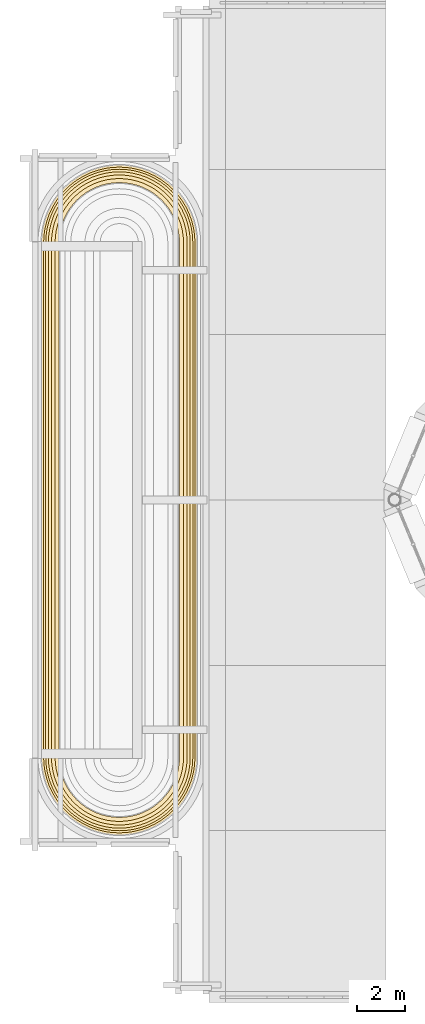
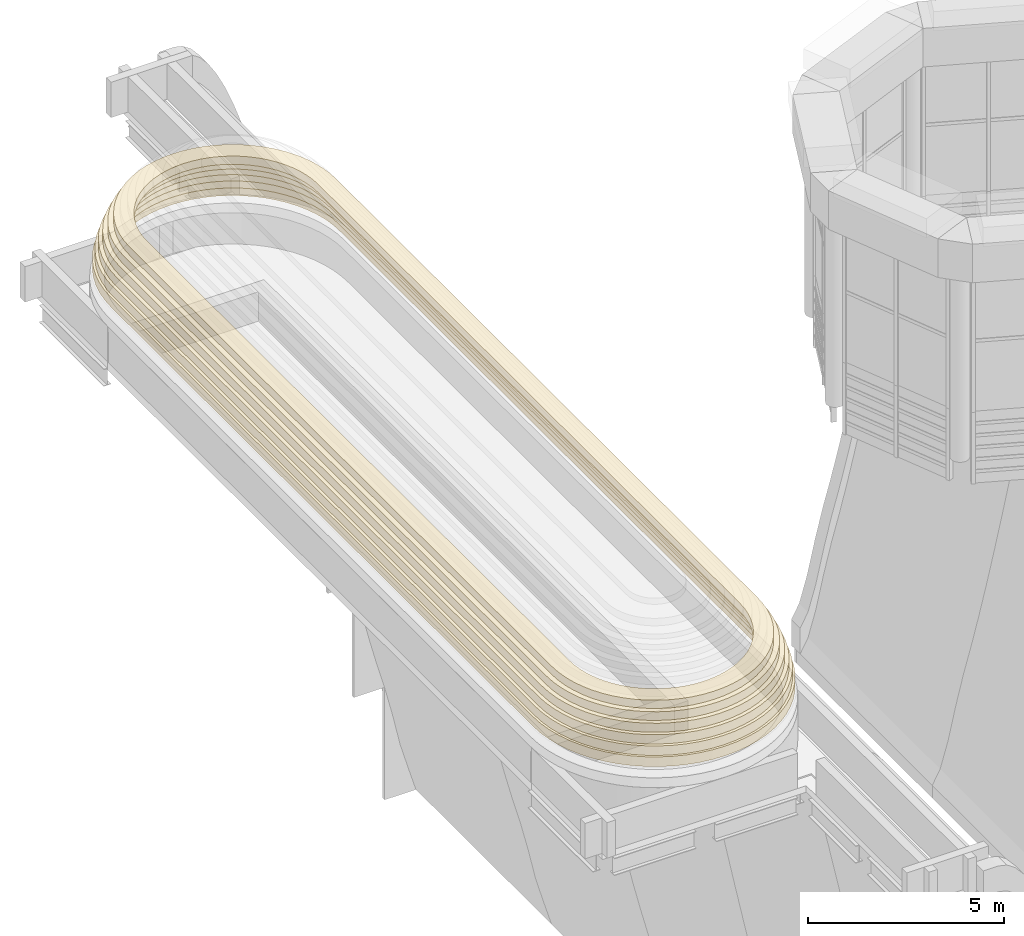
# One storey, part 9 of 14: 6 coverings.
"""IFC4 building model written with IfcOpenShell, lengths in metres."""

from ifc_helpers import new_model, si_unit, direction, frame, origin, place, context, subcontext, project, spatial, polyline, outline, extrude, material, layer, layer_set, type_object, element, save


model = new_model("IFC4")

# Units and contexts
model_context = context("Model", 3, precision=1e-05, world=origin(), true_north=direction((0.0, 1.0)))
body_context = subcontext(model_context, "Body", "Model", "MODEL_VIEW")
ifc_project = project(units=[si_unit("LENGTHUNIT", "METRE"), si_unit("AREAUNIT", "SQUARE_METRE"), si_unit("VOLUMEUNIT", "CUBIC_METRE"), si_unit("PLANEANGLEUNIT", "RADIAN"), si_unit("MASSUNIT", "GRAM", prefix="KILO")], contexts=[model_context])

# Site, building, storey
site_placement = place(None, origin())
site = spatial("IfcSite", under=ifc_project, at=site_placement, CompositionType="ELEMENT")
building_placement = place(site_placement, origin())
building = spatial("IfcBuilding", under=site, at=building_placement, Name="Cobrizo Arcos Hotel Tower", CompositionType="ELEMENT")
storey_placement = place(building_placement, frame((0.0, 0.0, 290.0)))
storey = spatial("IfcBuildingStorey", under=building, at=storey_placement, Name="RF", CompositionType="ELEMENT", Elevation=290.0)

# Coverings
ifc_material = material(Name="Aluminium 6063-T6 anodised pale", Category="aluminium")
ifc_layer = layer(ifc_material, 0.35009765625)
ifc_layer_set = layer_set([ifc_layer], Name="CB-7 shoulder roll course 350")
covering_type = type_object("IfcCoveringType", Name="CB-7 shoulder roll course 350", PredefinedType="CLADDING", material=ifc_layer_set)
covering_1_placement = place(storey_placement, frame((0.0, 0.0, 1.710205078125)))
element("IfcCovering", 1, at=covering_1_placement, inside=storey, type_object=covering_type, Name="Shoulder roll W course 3", PredefinedType="CLADDING", context=body_context, shape_type="SweptSolid", body=[
    extrude(outline(polyline([(-20.330078125, 10.748291015625), (-20.312744140625, 11.100830078125), (-20.260986328125, 11.448486328125), (-20.17578125, 11.789306640625), (-20.057373046875, 12.1201171875), (-19.9072265625, 12.4375), (-19.7265625, 12.739013671875), (-19.517333984375, 13.02099609375), (-19.281494140625, 13.281494140625), (-19.02099609375, 13.517333984375), (-18.739013671875, 13.7265625), (-18.4375, 13.9072265625), (-18.1201171875, 14.057373046875), (-17.789306640625, 14.17578125), (-17.448486328125, 14.260986328125), (-17.100830078125, 14.312744140625), (-16.75, 14.329833984375), (-16.399169921875, 14.312744140625), (-16.051513671875, 14.260986328125), (-15.710693359375, 14.17578125), (-15.3798828125, 14.057373046875), (-15.0625, 13.9072265625), (-14.760986328125, 13.7265625), (-14.47900390625, 13.517333984375), (-14.218505859375, 13.281494140625), (-13.982666015625, 13.02099609375), (-13.7734375, 12.739013671875), (-13.5927734375, 12.4375), (-13.442626953125, 12.1201171875), (-13.32421875, 11.789306640625), (-13.239013671875, 11.448486328125), (-13.187255859375, 11.100830078125), (-13.169921875, 10.748291015625), (-13.169921875, -10.748291015625), (-13.187255859375, -11.100830078125), (-13.239013671875, -11.448486328125), (-13.32421875, -11.789306640625), (-13.442626953125, -12.1201171875), (-13.5927734375, -12.4375), (-13.7734375, -12.739013671875), (-13.982666015625, -13.02099609375), (-14.218505859375, -13.281494140625), (-14.47900390625, -13.517333984375), (-14.760986328125, -13.7265625), (-15.0625, -13.9072265625), (-15.3798828125, -14.057373046875), (-15.710693359375, -14.17578125), (-16.051513671875, -14.260986328125), (-16.399169921875, -14.312744140625), (-16.75, -14.329833984375), (-17.100830078125, -14.312744140625), (-17.448486328125, -14.260986328125), (-17.789306640625, -14.17578125), (-18.1201171875, -14.057373046875), (-18.4375, -13.9072265625), (-18.739013671875, -13.7265625), (-19.02099609375, -13.517333984375), (-19.281494140625, -13.281494140625), (-19.517333984375, -13.02099609375), (-19.7265625, -12.739013671875), (-19.9072265625, -12.4375), (-20.057373046875, -12.1201171875), (-20.17578125, -11.789306640625), (-20.260986328125, -11.448486328125), (-20.312744140625, -11.100830078125), (-20.330078125, -10.748291015625), (-20.330078125, 10.748291015625)]), holes=[polyline([(-19.9130859375, 10.738037109375), (-19.8974609375, 11.06005859375), (-19.851806640625, 11.366943359375), (-19.7763671875, 11.668212890625), (-19.671875, 11.960205078125), (-19.539306640625, 12.24072265625), (-19.379638671875, 12.507080078125), (-19.194580078125, 12.75634765625), (-18.986328125, 12.986328125), (-18.75634765625, 13.194580078125), (-18.507080078125, 13.379638671875), (-18.24072265625, 13.539306640625), (-17.960205078125, 13.671875), (-17.668212890625, 13.7763671875), (-17.366943359375, 13.851806640625), (-17.06005859375, 13.8974609375), (-16.75, 13.91259765625), (-16.43994140625, 13.8974609375), (-16.133056640625, 13.851806640625), (-15.831787109375, 13.7763671875), (-15.539794921875, 13.671875), (-15.25927734375, 13.539306640625), (-14.992919921875, 13.379638671875), (-14.74365234375, 13.194580078125), (-14.513671875, 12.986328125), (-14.305419921875, 12.75634765625), (-14.120361328125, 12.507080078125), (-13.960693359375, 12.24072265625), (-13.828125, 11.960205078125), (-13.7236328125, 11.668212890625), (-13.648193359375, 11.366943359375), (-13.6025390625, 11.06005859375), (-13.5869140625, 10.738037109375), (-13.5869140625, -10.738037109375), (-13.6025390625, -11.06005859375), (-13.648193359375, -11.366943359375), (-13.7236328125, -11.668212890625), (-13.828125, -11.960205078125), (-13.960693359375, -12.24072265625), (-14.120361328125, -12.507080078125), (-14.305419921875, -12.75634765625), (-14.513671875, -12.986328125), (-14.74365234375, -13.194580078125), (-14.992919921875, -13.379638671875), (-15.25927734375, -13.539306640625), (-15.539794921875, -13.671875), (-15.831787109375, -13.7763671875), (-16.133056640625, -13.851806640625), (-16.43994140625, -13.8974609375), (-16.75, -13.91259765625), (-17.06005859375, -13.8974609375), (-17.366943359375, -13.851806640625), (-17.668212890625, -13.7763671875), (-17.960205078125, -13.671875), (-18.24072265625, -13.539306640625), (-18.507080078125, -13.379638671875), (-18.75634765625, -13.194580078125), (-18.986328125, -12.986328125), (-19.194580078125, -12.75634765625), (-19.379638671875, -12.507080078125), (-19.539306640625, -12.24072265625), (-19.671875, -11.960205078125), (-19.7763671875, -11.668212890625), (-19.851806640625, -11.366943359375), (-19.8974609375, -11.06005859375), (-19.9130859375, -10.738037109375), (-19.9130859375, 10.738037109375)])]), origin(), (0.0, 0.0, 1.0), 0.30029296875),
])
covering_2_placement = place(storey_placement, frame((0.0, 0.0, 2.010498046875)))
element("IfcCovering", 2, at=covering_2_placement, inside=storey, type_object=covering_type, Name="Shoulder roll W course 4", PredefinedType="CLADDING", context=body_context, shape_type="SweptSolid", body=[
    extrude(outline(polyline([(-20.26318359375, 10.74658203125), (-20.24609375, 11.09423828125), (-20.195556640625, 11.435302734375), (-20.11181640625, 11.769775390625), (-19.99560546875, 12.094482421875), (-19.84814453125, 12.406005859375), (-19.6708984375, 12.70166015625), (-19.465576171875, 12.978515625), (-19.234130859375, 13.234130859375), (-18.978515625, 13.465576171875), (-18.70166015625, 13.6708984375), (-18.406005859375, 13.84814453125), (-18.094482421875, 13.99560546875), (-17.769775390625, 14.11181640625), (-17.435302734375, 14.195556640625), (-17.09423828125, 14.24609375), (-16.75, 14.262939453125), (-16.40576171875, 14.24609375), (-16.064697265625, 14.195556640625), (-15.730224609375, 14.11181640625), (-15.405517578125, 13.99560546875), (-15.093994140625, 13.84814453125), (-14.79833984375, 13.6708984375), (-14.521484375, 13.465576171875), (-14.265869140625, 13.234130859375), (-14.034423828125, 12.978515625), (-13.8291015625, 12.70166015625), (-13.65185546875, 12.406005859375), (-13.50439453125, 12.094482421875), (-13.38818359375, 11.769775390625), (-13.304443359375, 11.435302734375), (-13.25390625, 11.09423828125), (-13.23681640625, 10.74658203125), (-13.23681640625, -10.74658203125), (-13.25390625, -11.09423828125), (-13.304443359375, -11.435302734375), (-13.38818359375, -11.769775390625), (-13.50439453125, -12.094482421875), (-13.65185546875, -12.406005859375), (-13.8291015625, -12.70166015625), (-14.034423828125, -12.978515625), (-14.265869140625, -13.234130859375), (-14.521484375, -13.465576171875), (-14.79833984375, -13.6708984375), (-15.093994140625, -13.84814453125), (-15.405517578125, -13.99560546875), (-15.730224609375, -14.11181640625), (-16.064697265625, -14.195556640625), (-16.40576171875, -14.24609375), (-16.75, -14.262939453125), (-17.09423828125, -14.24609375), (-17.435302734375, -14.195556640625), (-17.769775390625, -14.11181640625), (-18.094482421875, -13.99560546875), (-18.406005859375, -13.84814453125), (-18.70166015625, -13.6708984375), (-18.978515625, -13.465576171875), (-19.234130859375, -13.234130859375), (-19.465576171875, -12.978515625), (-19.6708984375, -12.70166015625), (-19.84814453125, -12.406005859375), (-19.99560546875, -12.094482421875), (-20.11181640625, -11.769775390625), (-20.195556640625, -11.435302734375), (-20.24609375, -11.09423828125), (-20.26318359375, -10.74658203125), (-20.26318359375, 10.74658203125)]), holes=[polyline([(-19.82470703125, 10.73583984375), (-19.809326171875, 11.05126953125), (-19.764892578125, 11.349609375), (-19.691650390625, 11.642333984375), (-19.590087890625, 11.926513671875), (-19.461181640625, 12.19921875), (-19.305908203125, 12.4580078125), (-19.126220703125, 12.7001953125), (-18.923583984375, 12.923583984375), (-18.7001953125, 13.126220703125), (-18.4580078125, 13.305908203125), (-18.19921875, 13.461181640625), (-17.926513671875, 13.590087890625), (-17.642333984375, 13.691650390625), (-17.349609375, 13.764892578125), (-17.05126953125, 13.809326171875), (-16.75, 13.82421875), (-16.44873046875, 13.809326171875), (-16.150390625, 13.764892578125), (-15.857666015625, 13.691650390625), (-15.573486328125, 13.590087890625), (-15.30078125, 13.461181640625), (-15.0419921875, 13.305908203125), (-14.7998046875, 13.126220703125), (-14.576416015625, 12.923583984375), (-14.373779296875, 12.7001953125), (-14.194091796875, 12.4580078125), (-14.038818359375, 12.19921875), (-13.909912109375, 11.926513671875), (-13.808349609375, 11.642333984375), (-13.735107421875, 11.349609375), (-13.690673828125, 11.05126953125), (-13.67529296875, 10.73583984375), (-13.67529296875, -10.73583984375), (-13.690673828125, -11.05126953125), (-13.735107421875, -11.349609375), (-13.808349609375, -11.642333984375), (-13.909912109375, -11.926513671875), (-14.038818359375, -12.19921875), (-14.194091796875, -12.4580078125), (-14.373779296875, -12.7001953125), (-14.576416015625, -12.923583984375), (-14.7998046875, -13.126220703125), (-15.0419921875, -13.305908203125), (-15.30078125, -13.461181640625), (-15.573486328125, -13.590087890625), (-15.857666015625, -13.691650390625), (-16.150390625, -13.764892578125), (-16.44873046875, -13.809326171875), (-16.75, -13.82421875), (-17.05126953125, -13.809326171875), (-17.349609375, -13.764892578125), (-17.642333984375, -13.691650390625), (-17.926513671875, -13.590087890625), (-18.19921875, -13.461181640625), (-18.4580078125, -13.305908203125), (-18.7001953125, -13.126220703125), (-18.923583984375, -12.923583984375), (-19.126220703125, -12.7001953125), (-19.305908203125, -12.4580078125), (-19.461181640625, -12.19921875), (-19.590087890625, -11.926513671875), (-19.691650390625, -11.642333984375), (-19.764892578125, -11.349609375), (-19.809326171875, -11.05126953125), (-19.82470703125, -10.73583984375), (-19.82470703125, 10.73583984375)])]), origin(), (0.0, 0.0, 1.0), 0.294677734375),
])
covering_3_placement = place(storey_placement, frame((0.0, 0.0, 2.30517578125)))
element("IfcCovering", 3, at=covering_3_placement, inside=storey, type_object=covering_type, Name="Shoulder roll W course 5", PredefinedType="CLADDING", context=body_context, shape_type="SweptSolid", body=[
    extrude(outline(polyline([(-20.1748046875, 10.744384765625), (-20.157958984375, 11.085693359375), (-20.108642578125, 11.418212890625), (-20.027099609375, 11.744140625), (-19.913818359375, 12.060546875), (-19.77001953125, 12.3642578125), (-19.597412109375, 12.652587890625), (-19.397216796875, 12.922607421875), (-19.17138671875, 13.17138671875), (-18.922607421875, 13.397216796875), (-18.652587890625, 13.597412109375), (-18.3642578125, 13.77001953125), (-18.060546875, 13.913818359375), (-17.744140625, 14.027099609375), (-17.418212890625, 14.108642578125), (-17.085693359375, 14.157958984375), (-16.75, 14.174560546875), (-16.414306640625, 14.157958984375), (-16.081787109375, 14.108642578125), (-15.755859375, 14.027099609375), (-15.439453125, 13.913818359375), (-15.1357421875, 13.77001953125), (-14.847412109375, 13.597412109375), (-14.577392578125, 13.397216796875), (-14.32861328125, 13.17138671875), (-14.102783203125, 12.922607421875), (-13.902587890625, 12.652587890625), (-13.72998046875, 12.3642578125), (-13.586181640625, 12.060546875), (-13.472900390625, 11.744140625), (-13.391357421875, 11.418212890625), (-13.342041015625, 11.085693359375), (-13.3251953125, 10.744384765625), (-13.3251953125, -10.744384765625), (-13.342041015625, -11.085693359375), (-13.391357421875, -11.418212890625), (-13.472900390625, -11.744140625), (-13.586181640625, -12.060546875), (-13.72998046875, -12.3642578125), (-13.902587890625, -12.652587890625), (-14.102783203125, -12.922607421875), (-14.32861328125, -13.17138671875), (-14.577392578125, -13.397216796875), (-14.847412109375, -13.597412109375), (-15.1357421875, -13.77001953125), (-15.439453125, -13.913818359375), (-15.755859375, -14.027099609375), (-16.081787109375, -14.108642578125), (-16.414306640625, -14.157958984375), (-16.75, -14.174560546875), (-17.085693359375, -14.157958984375), (-17.418212890625, -14.108642578125), (-17.744140625, -14.027099609375), (-18.060546875, -13.913818359375), (-18.3642578125, -13.77001953125), (-18.652587890625, -13.597412109375), (-18.922607421875, -13.397216796875), (-19.17138671875, -13.17138671875), (-19.397216796875, -12.922607421875), (-19.597412109375, -12.652587890625), (-19.77001953125, -12.3642578125), (-19.913818359375, -12.060546875), (-20.027099609375, -11.744140625), (-20.108642578125, -11.418212890625), (-20.157958984375, -11.085693359375), (-20.1748046875, -10.744384765625), (-20.1748046875, 10.744384765625)]), holes=[polyline([(-19.71533203125, 10.733154296875), (-19.7001953125, 11.04052734375), (-19.657470703125, 11.328369140625), (-19.5869140625, 11.610595703125), (-19.48876953125, 11.884521484375), (-19.364501953125, 12.1474609375), (-19.21484375, 12.39697265625), (-19.04150390625, 12.630615234375), (-18.84619140625, 12.84619140625), (-18.630615234375, 13.04150390625), (-18.39697265625, 13.21484375), (-18.1474609375, 13.364501953125), (-17.884521484375, 13.48876953125), (-17.610595703125, 13.5869140625), (-17.328369140625, 13.657470703125), (-17.04052734375, 13.7001953125), (-16.75, 13.71435546875), (-16.45947265625, 13.7001953125), (-16.171630859375, 13.657470703125), (-15.889404296875, 13.5869140625), (-15.615478515625, 13.48876953125), (-15.3525390625, 13.364501953125), (-15.10302734375, 13.21484375), (-14.869384765625, 13.04150390625), (-14.65380859375, 12.84619140625), (-14.45849609375, 12.630615234375), (-14.28515625, 12.39697265625), (-14.135498046875, 12.1474609375), (-14.01123046875, 11.884521484375), (-13.9130859375, 11.610595703125), (-13.842529296875, 11.328369140625), (-13.7998046875, 11.04052734375), (-13.78466796875, 10.733154296875), (-13.78466796875, -10.733154296875), (-13.7998046875, -11.04052734375), (-13.842529296875, -11.328369140625), (-13.9130859375, -11.610595703125), (-14.01123046875, -11.884521484375), (-14.135498046875, -12.1474609375), (-14.28515625, -12.39697265625), (-14.45849609375, -12.630615234375), (-14.65380859375, -12.84619140625), (-14.869384765625, -13.04150390625), (-15.10302734375, -13.21484375), (-15.3525390625, -13.364501953125), (-15.615478515625, -13.48876953125), (-15.889404296875, -13.5869140625), (-16.171630859375, -13.657470703125), (-16.45947265625, -13.7001953125), (-16.75, -13.71435546875), (-17.04052734375, -13.7001953125), (-17.328369140625, -13.657470703125), (-17.610595703125, -13.5869140625), (-17.884521484375, -13.48876953125), (-18.1474609375, -13.364501953125), (-18.39697265625, -13.21484375), (-18.630615234375, -13.04150390625), (-18.84619140625, -12.84619140625), (-19.04150390625, -12.630615234375), (-19.21484375, -12.39697265625), (-19.364501953125, -12.1474609375), (-19.48876953125, -11.884521484375), (-19.5869140625, -11.610595703125), (-19.657470703125, -11.328369140625), (-19.7001953125, -11.04052734375), (-19.71533203125, -10.733154296875), (-19.71533203125, 10.733154296875)])]), origin(), (0.0, 0.0, 1.0), 0.287353515625),
])
covering_4_placement = place(storey_placement, frame((0.0, 0.0, 2.592529296875)))
element("IfcCovering", 4, at=covering_4_placement, inside=storey, type_object=covering_type, Name="Shoulder roll W course 6", PredefinedType="CLADDING", context=body_context, shape_type="SweptSolid", body=[
    extrude(outline(polyline([(-20.065185546875, 10.74169921875), (-20.048828125, 11.074951171875), (-20.001220703125, 11.396728515625), (-19.922119140625, 11.71240234375), (-19.8125, 12.0185546875), (-19.67333984375, 12.3125), (-19.506103515625, 12.591552734375), (-19.3125, 12.852783203125), (-19.093994140625, 13.093994140625), (-18.852783203125, 13.3125), (-18.591552734375, 13.506103515625), (-18.3125, 13.67333984375), (-18.0185546875, 13.8125), (-17.71240234375, 13.922119140625), (-17.396728515625, 14.001220703125), (-17.074951171875, 14.048828125), (-16.75, 14.06494140625), (-16.425048828125, 14.048828125), (-16.103271484375, 14.001220703125), (-15.78759765625, 13.922119140625), (-15.4814453125, 13.8125), (-15.1875, 13.67333984375), (-14.908447265625, 13.506103515625), (-14.647216796875, 13.3125), (-14.406005859375, 13.093994140625), (-14.1875, 12.852783203125), (-13.993896484375, 12.591552734375), (-13.82666015625, 12.3125), (-13.6875, 12.0185546875), (-13.577880859375, 11.71240234375), (-13.498779296875, 11.396728515625), (-13.451171875, 11.074951171875), (-13.434814453125, 10.74169921875), (-13.434814453125, -10.74169921875), (-13.451171875, -11.074951171875), (-13.498779296875, -11.396728515625), (-13.577880859375, -11.71240234375), (-13.6875, -12.0185546875), (-13.82666015625, -12.3125), (-13.993896484375, -12.591552734375), (-14.1875, -12.852783203125), (-14.406005859375, -13.093994140625), (-14.647216796875, -13.3125), (-14.908447265625, -13.506103515625), (-15.1875, -13.67333984375), (-15.4814453125, -13.8125), (-15.78759765625, -13.922119140625), (-16.103271484375, -14.001220703125), (-16.425048828125, -14.048828125), (-16.75, -14.06494140625), (-17.074951171875, -14.048828125), (-17.396728515625, -14.001220703125), (-17.71240234375, -13.922119140625), (-18.0185546875, -13.8125), (-18.3125, -13.67333984375), (-18.591552734375, -13.506103515625), (-18.852783203125, -13.3125), (-19.093994140625, -13.093994140625), (-19.3125, -12.852783203125), (-19.506103515625, -12.591552734375), (-19.67333984375, -12.3125), (-19.8125, -12.0185546875), (-19.922119140625, -11.71240234375), (-20.001220703125, -11.396728515625), (-20.048828125, -11.074951171875), (-20.065185546875, -10.74169921875), (-20.065185546875, 10.74169921875)]), holes=[polyline([(-19.58544921875, 10.72998046875), (-19.57080078125, 11.02783203125), (-19.52978515625, 11.302978515625), (-19.46240234375, 11.57275390625), (-19.36865234375, 11.834716796875), (-19.249755859375, 12.086181640625), (-19.106689453125, 12.32470703125), (-18.94091796875, 12.548095703125), (-18.754150390625, 12.754150390625), (-18.548095703125, 12.94091796875), (-18.32470703125, 13.106689453125), (-18.086181640625, 13.249755859375), (-17.834716796875, 13.36865234375), (-17.57275390625, 13.46240234375), (-17.302978515625, 13.52978515625), (-17.02783203125, 13.57080078125), (-16.75, 13.58447265625), (-16.47216796875, 13.57080078125), (-16.197021484375, 13.52978515625), (-15.92724609375, 13.46240234375), (-15.665283203125, 13.36865234375), (-15.413818359375, 13.249755859375), (-15.17529296875, 13.106689453125), (-14.951904296875, 12.94091796875), (-14.745849609375, 12.754150390625), (-14.55908203125, 12.548095703125), (-14.393310546875, 12.32470703125), (-14.250244140625, 12.086181640625), (-14.13134765625, 11.834716796875), (-14.03759765625, 11.57275390625), (-13.97021484375, 11.302978515625), (-13.92919921875, 11.02783203125), (-13.91455078125, 10.72998046875), (-13.91455078125, -10.72998046875), (-13.92919921875, -11.02783203125), (-13.97021484375, -11.302978515625), (-14.03759765625, -11.57275390625), (-14.13134765625, -11.834716796875), (-14.250244140625, -12.086181640625), (-14.393310546875, -12.32470703125), (-14.55908203125, -12.548095703125), (-14.745849609375, -12.754150390625), (-14.951904296875, -12.94091796875), (-15.17529296875, -13.106689453125), (-15.413818359375, -13.249755859375), (-15.665283203125, -13.36865234375), (-15.92724609375, -13.46240234375), (-16.197021484375, -13.52978515625), (-16.47216796875, -13.57080078125), (-16.75, -13.58447265625), (-17.02783203125, -13.57080078125), (-17.302978515625, -13.52978515625), (-17.57275390625, -13.46240234375), (-17.834716796875, -13.36865234375), (-18.086181640625, -13.249755859375), (-18.32470703125, -13.106689453125), (-18.548095703125, -12.94091796875), (-18.754150390625, -12.754150390625), (-18.94091796875, -12.548095703125), (-19.106689453125, -12.32470703125), (-19.249755859375, -12.086181640625), (-19.36865234375, -11.834716796875), (-19.46240234375, -11.57275390625), (-19.52978515625, -11.302978515625), (-19.57080078125, -11.02783203125), (-19.58544921875, -10.72998046875), (-19.58544921875, 10.72998046875)])]), origin(), (0.0, 0.0, 1.0), 0.278076171875),
])
covering_5_placement = place(storey_placement, frame((0.0, 0.0, 2.87060546875)))
element("IfcCovering", 5, at=covering_5_placement, inside=storey, type_object=covering_type, Name="Shoulder roll W course 7", PredefinedType="CLADDING", context=body_context, shape_type="SweptSolid", body=[
    extrude(outline(polyline([(-19.935302734375, 10.738525390625), (-19.91943359375, 11.062255859375), (-19.87353515625, 11.371337890625), (-19.797607421875, 11.674560546875), (-19.6923828125, 11.96875), (-19.558837890625, 12.251220703125), (-19.398193359375, 12.519287109375), (-19.2119140625, 12.7705078125), (-19.001953125, 13.001953125), (-18.7705078125, 13.2119140625), (-18.519287109375, 13.398193359375), (-18.251220703125, 13.558837890625), (-17.96875, 13.6923828125), (-17.674560546875, 13.797607421875), (-17.371337890625, 13.87353515625), (-17.062255859375, 13.91943359375), (-16.75, 13.934814453125), (-16.437744140625, 13.91943359375), (-16.128662109375, 13.87353515625), (-15.825439453125, 13.797607421875), (-15.53125, 13.6923828125), (-15.248779296875, 13.558837890625), (-14.980712890625, 13.398193359375), (-14.7294921875, 13.2119140625), (-14.498046875, 13.001953125), (-14.2880859375, 12.7705078125), (-14.101806640625, 12.519287109375), (-13.941162109375, 12.251220703125), (-13.8076171875, 11.96875), (-13.702392578125, 11.674560546875), (-13.62646484375, 11.371337890625), (-13.58056640625, 11.062255859375), (-13.564697265625, 10.738525390625), (-13.564697265625, -10.738525390625), (-13.58056640625, -11.062255859375), (-13.62646484375, -11.371337890625), (-13.702392578125, -11.674560546875), (-13.8076171875, -11.96875), (-13.941162109375, -12.251220703125), (-14.101806640625, -12.519287109375), (-14.2880859375, -12.7705078125), (-14.498046875, -13.001953125), (-14.7294921875, -13.2119140625), (-14.980712890625, -13.398193359375), (-15.248779296875, -13.558837890625), (-15.53125, -13.6923828125), (-15.825439453125, -13.797607421875), (-16.128662109375, -13.87353515625), (-16.437744140625, -13.91943359375), (-16.75, -13.934814453125), (-17.062255859375, -13.91943359375), (-17.371337890625, -13.87353515625), (-17.674560546875, -13.797607421875), (-17.96875, -13.6923828125), (-18.251220703125, -13.558837890625), (-18.519287109375, -13.398193359375), (-18.7705078125, -13.2119140625), (-19.001953125, -13.001953125), (-19.2119140625, -12.7705078125), (-19.398193359375, -12.519287109375), (-19.558837890625, -12.251220703125), (-19.6923828125, -11.96875), (-19.797607421875, -11.674560546875), (-19.87353515625, -11.371337890625), (-19.91943359375, -11.062255859375), (-19.935302734375, -10.738525390625), (-19.935302734375, 10.738525390625)]), holes=[polyline([(-19.435791015625, 10.726318359375), (-19.421875, 11.01318359375), (-19.38330078125, 11.273681640625), (-19.319091796875, 11.529296875), (-19.23046875, 11.77734375), (-19.11767578125, 12.015625), (-18.982421875, 12.24169921875), (-18.8251953125, 12.453125), (-18.6484375, 12.6484375), (-18.453125, 12.8251953125), (-18.24169921875, 12.982421875), (-18.015625, 13.11767578125), (-17.77734375, 13.23046875), (-17.529296875, 13.319091796875), (-17.273681640625, 13.38330078125), (-17.01318359375, 13.421875), (-16.75, 13.434814453125), (-16.48681640625, 13.421875), (-16.226318359375, 13.38330078125), (-15.970703125, 13.319091796875), (-15.72265625, 13.23046875), (-15.484375, 13.11767578125), (-15.25830078125, 12.982421875), (-15.046875, 12.8251953125), (-14.8515625, 12.6484375), (-14.6748046875, 12.453125), (-14.517578125, 12.24169921875), (-14.38232421875, 12.015625), (-14.26953125, 11.77734375), (-14.180908203125, 11.529296875), (-14.11669921875, 11.273681640625), (-14.078125, 11.01318359375), (-14.064208984375, 10.726318359375), (-14.064208984375, -10.726318359375), (-14.078125, -11.01318359375), (-14.11669921875, -11.273681640625), (-14.180908203125, -11.529296875), (-14.26953125, -11.77734375), (-14.38232421875, -12.015625), (-14.517578125, -12.24169921875), (-14.6748046875, -12.453125), (-14.8515625, -12.6484375), (-15.046875, -12.8251953125), (-15.25830078125, -12.982421875), (-15.484375, -13.11767578125), (-15.72265625, -13.23046875), (-15.970703125, -13.319091796875), (-16.226318359375, -13.38330078125), (-16.48681640625, -13.421875), (-16.75, -13.434814453125), (-17.01318359375, -13.421875), (-17.273681640625, -13.38330078125), (-17.529296875, -13.319091796875), (-17.77734375, -13.23046875), (-18.015625, -13.11767578125), (-18.24169921875, -12.982421875), (-18.453125, -12.8251953125), (-18.6484375, -12.6484375), (-18.8251953125, -12.453125), (-18.982421875, -12.24169921875), (-19.11767578125, -12.015625), (-19.23046875, -11.77734375), (-19.319091796875, -11.529296875), (-19.38330078125, -11.273681640625), (-19.421875, -11.01318359375), (-19.435791015625, -10.726318359375), (-19.435791015625, 10.726318359375)])]), origin(), (0.0, 0.0, 1.0), 0.26708984375),
])
covering_6_placement = place(storey_placement, frame((0.0, 0.0, 3.1376953125)))
element("IfcCovering", 6, at=covering_6_placement, inside=storey, type_object=covering_type, Name="Shoulder roll W course 8", PredefinedType="CLADDING", context=body_context, shape_type="SweptSolid", body=[
    extrude(outline(polyline([(-19.785888671875, 10.73486328125), (-19.7705078125, 11.047607421875), (-19.726806640625, 11.342041015625), (-19.654541015625, 11.631103515625), (-19.55419921875, 11.91162109375), (-19.4267578125, 12.180908203125), (-19.273681640625, 12.436279296875), (-19.09619140625, 12.675537109375), (-18.896240234375, 12.896240234375), (-18.675537109375, 13.09619140625), (-18.436279296875, 13.273681640625), (-18.180908203125, 13.4267578125), (-17.91162109375, 13.55419921875), (-17.631103515625, 13.654541015625), (-17.342041015625, 13.726806640625), (-17.047607421875, 13.7705078125), (-16.75, 13.78515625), (-16.452392578125, 13.7705078125), (-16.157958984375, 13.726806640625), (-15.868896484375, 13.654541015625), (-15.58837890625, 13.55419921875), (-15.319091796875, 13.4267578125), (-15.063720703125, 13.273681640625), (-14.824462890625, 13.09619140625), (-14.603759765625, 12.896240234375), (-14.40380859375, 12.675537109375), (-14.226318359375, 12.436279296875), (-14.0732421875, 12.180908203125), (-13.94580078125, 11.91162109375), (-13.845458984375, 11.631103515625), (-13.773193359375, 11.342041015625), (-13.7294921875, 11.047607421875), (-13.714111328125, 10.73486328125), (-13.714111328125, -10.73486328125), (-13.7294921875, -11.047607421875), (-13.773193359375, -11.342041015625), (-13.845458984375, -11.631103515625), (-13.94580078125, -11.91162109375), (-14.0732421875, -12.180908203125), (-14.226318359375, -12.436279296875), (-14.40380859375, -12.675537109375), (-14.603759765625, -12.896240234375), (-14.824462890625, -13.09619140625), (-15.063720703125, -13.273681640625), (-15.319091796875, -13.4267578125), (-15.58837890625, -13.55419921875), (-15.868896484375, -13.654541015625), (-16.157958984375, -13.726806640625), (-16.452392578125, -13.7705078125), (-16.75, -13.78515625), (-17.047607421875, -13.7705078125), (-17.342041015625, -13.726806640625), (-17.631103515625, -13.654541015625), (-17.91162109375, -13.55419921875), (-18.180908203125, -13.4267578125), (-18.436279296875, -13.273681640625), (-18.675537109375, -13.09619140625), (-18.896240234375, -12.896240234375), (-19.09619140625, -12.675537109375), (-19.273681640625, -12.436279296875), (-19.4267578125, -12.180908203125), (-19.55419921875, -11.91162109375), (-19.654541015625, -11.631103515625), (-19.726806640625, -11.342041015625), (-19.7705078125, -11.047607421875), (-19.785888671875, -10.73486328125), (-19.785888671875, 10.73486328125)]), holes=[polyline([(-19.267822265625, 10.72216796875), (-19.25439453125, 10.99658203125), (-19.218017578125, 11.240966796875), (-19.158203125, 11.48046875), (-19.074951171875, 11.712890625), (-18.96923828125, 11.936279296875), (-18.84228515625, 12.14794921875), (-18.6953125, 12.346435546875), (-18.529296875, 12.529296875), (-18.346435546875, 12.6953125), (-18.14794921875, 12.84228515625), (-17.936279296875, 12.96923828125), (-17.712890625, 13.074951171875), (-17.48046875, 13.158203125), (-17.240966796875, 13.218017578125), (-16.99658203125, 13.25439453125), (-16.75, 13.266357421875), (-16.50341796875, 13.25439453125), (-16.259033203125, 13.218017578125), (-16.01953125, 13.158203125), (-15.787109375, 13.074951171875), (-15.563720703125, 12.96923828125), (-15.35205078125, 12.84228515625), (-15.153564453125, 12.6953125), (-14.970703125, 12.529296875), (-14.8046875, 12.346435546875), (-14.65771484375, 12.14794921875), (-14.53076171875, 11.936279296875), (-14.425048828125, 11.712890625), (-14.341796875, 11.48046875), (-14.281982421875, 11.240966796875), (-14.24560546875, 10.99658203125), (-14.232177734375, 10.72216796875), (-14.232177734375, -10.72216796875), (-14.24560546875, -10.99658203125), (-14.281982421875, -11.240966796875), (-14.341796875, -11.48046875), (-14.425048828125, -11.712890625), (-14.53076171875, -11.936279296875), (-14.65771484375, -12.14794921875), (-14.8046875, -12.346435546875), (-14.970703125, -12.529296875), (-15.153564453125, -12.6953125), (-15.35205078125, -12.84228515625), (-15.563720703125, -12.96923828125), (-15.787109375, -13.074951171875), (-16.01953125, -13.158203125), (-16.259033203125, -13.218017578125), (-16.50341796875, -13.25439453125), (-16.75, -13.266357421875), (-16.99658203125, -13.25439453125), (-17.240966796875, -13.218017578125), (-17.48046875, -13.158203125), (-17.712890625, -13.074951171875), (-17.936279296875, -12.96923828125), (-18.14794921875, -12.84228515625), (-18.346435546875, -12.6953125), (-18.529296875, -12.529296875), (-18.6953125, -12.346435546875), (-18.84228515625, -12.14794921875), (-18.96923828125, -11.936279296875), (-19.074951171875, -11.712890625), (-19.158203125, -11.48046875), (-19.218017578125, -11.240966796875), (-19.25439453125, -10.99658203125), (-19.267822265625, -10.72216796875), (-19.267822265625, 10.72216796875)])]), origin(), (0.0, 0.0, 1.0), 0.254638671875),
])

save(model, "model.ifc")
